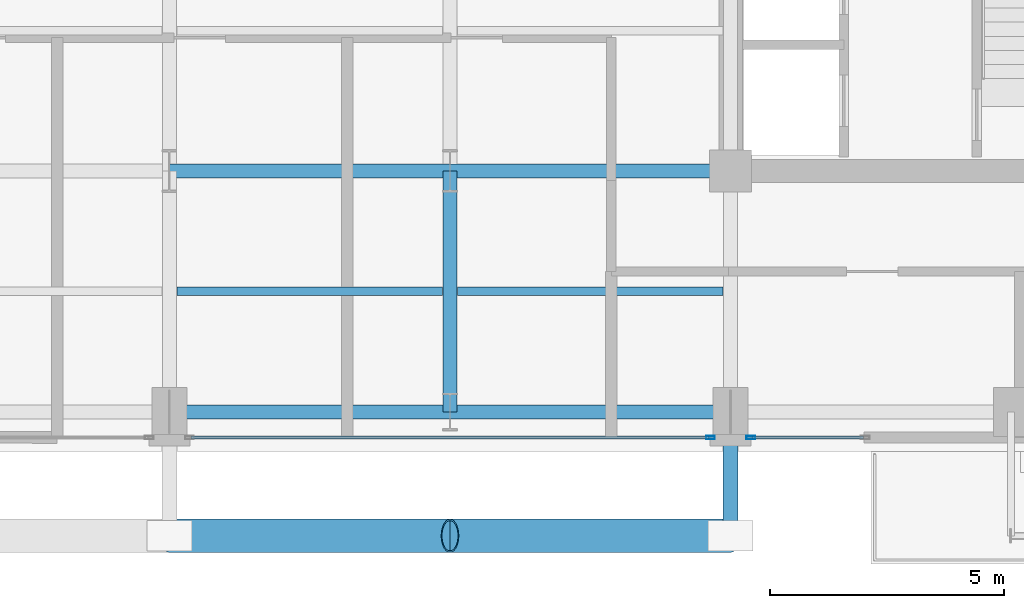
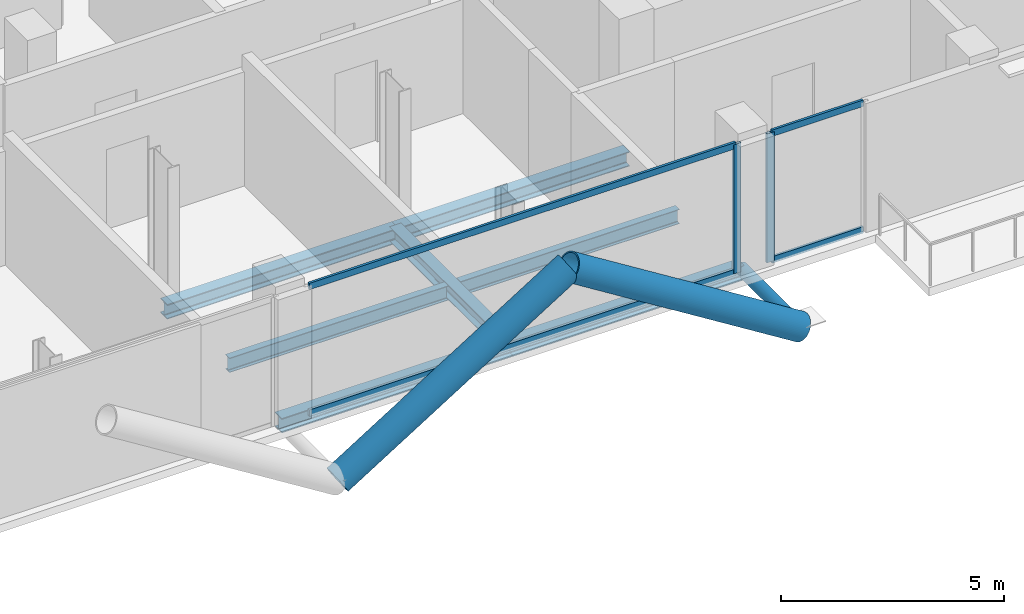
# One storey, part 4 of 26: 9 members, 7 beams, 2 elements without a shape of their own.
"""IFC4 building model written with IfcOpenShell, lengths in metres."""

from ifc_helpers import new_model, si_unit, direction, frame, origin, origin_2d, place, context, subcontext, project, spatial, hollow_rectangle, hollow_circle, i_section, extrude, material, layer, layer_set, material_profile, profile_set, type_object, element, aggregate, save


model = new_model("IFC4")

# Units and contexts
model_context = context("Model", 3, precision=1e-05, world=origin(), true_north=direction((0.0, 1.0)))
body_context = subcontext(model_context, "Body", "Model", "MODEL_VIEW")
ifc_project = project(units=[si_unit("LENGTHUNIT", "METRE"), si_unit("AREAUNIT", "SQUARE_METRE"), si_unit("VOLUMEUNIT", "CUBIC_METRE"), si_unit("PLANEANGLEUNIT", "RADIAN"), si_unit("MASSUNIT", "GRAM", prefix="KILO"), si_unit("THERMODYNAMICTEMPERATUREUNIT", "KELVIN"), si_unit("POWERUNIT", "WATT")], contexts=[model_context])

# Site, building, storey
site_placement = place(None, origin())
site = spatial("IfcSite", under=ifc_project, at=site_placement, CompositionType="ELEMENT")
building_placement = place(site_placement, origin())
building = spatial("IfcBuilding", under=site, at=building_placement, Name="Svarakhadi Broadcast Tower", CompositionType="ELEMENT")
storey_placement = place(building_placement, frame((0.0, 0.0, 184.199951171875)))
storey = spatial("IfcBuildingStorey", under=building, at=storey_placement, Name="L45", CompositionType="ELEMENT", Elevation=184.199951171875)

# Beams
ifc_material_1 = material(Name="Steel S355J2 (IS 2062 E350C)", Category="steel")
ifc_material_profile_1 = material_profile(ifc_material_1, i_section(OverallWidth=0.179931640625, OverallDepth=0.39990234375, WebThickness=0.008544921875, FlangeThickness=0.013427734375, FilletRadius=0.02099609375, at=origin_2d()), Name="NPB 400x180x66")
ifc_profile_set_1 = profile_set([ifc_material_profile_1], Name="Steel S355J2 (IS 2062 E350C)")
beam_type_1 = type_object("IfcBeamType", Name="Beam_NPB400", PredefinedType="BEAM", material=ifc_profile_set_1)
for number, where, z_axis, x_axis, name in (
    (1, (12.159912109375, 3.425048828125, -0.409912109375), (1.0, 0.0, 0.0), (0.0, 1.0, 0.0), "L45 Secondary Composite Beam SB009"),
    (2, (18.159912109375, 3.425048828125, -0.409912109375), (1.0, 0.0, 0.0), (0.0, 1.0, 0.0), "L45 Secondary Composite Beam SB013"),
):
    element("IfcBeam", number, at=place(storey_placement, frame(where, z_axis=z_axis, x_axis=x_axis)), inside=storey, type_object=beam_type_1, Name=name, PredefinedType="BEAM", context=body_context, shape_type="SweptSolid", body=[
        extrude(i_section(OverallWidth=0.179931640625, OverallDepth=0.39990234375, WebThickness=0.008544921875, FlangeThickness=0.013427734375, FilletRadius=0.02099609375, at=origin_2d()), origin(), (0.0, 0.0, 1.0), 5.68017578125),
    ])

# Curtain wall, member
ifc_material_2 = material(Name="Anodised Bronze Aluminium AA 6063-T6", Category="aluminium")
ifc_layer = layer(ifc_material_2, 0.18994140625)
ifc_layer_set = layer_set([ifc_layer], Name="Anodised Bronze Aluminium AA 6063-T6")
curtain_wall_type = type_object("IfcCurtainWallType", Name="CW_Sys_04", PredefinedType="NOTDEFINED", material=ifc_layer_set)
curtain_wall_1_placement = place(storey_placement, origin())
curtain_wall_1 = element("IfcCurtainWall", 3, at=curtain_wall_1_placement, inside=storey, type_object=curtain_wall_type, Name="L45 South Curtain Wall 16 Bay 1", PredefinedType="NOTDEFINED")
ifc_material_profile_2 = material_profile(ifc_material_2, hollow_rectangle(XDim=0.070068359375, YDim=0.18994140625, WallThickness=0.005615234375, at=origin_2d()), Name="ALU MULLION 190x70x6")
ifc_profile_set_2 = profile_set([ifc_material_profile_2], Name="Anodised Bronze Aluminium AA 6063-T6")
member_type_1 = type_object("IfcMemberType", Name="CW_Sys_04_Mul", PredefinedType="MULLION", material=ifc_profile_set_2)
member_1_placement = place(storey_placement, frame((24.429931640625, 0.300048828125, 0.0), z_axis=(0.0, 0.0, 1.0), x_axis=(0.0, -1.0, 0.0)))
member_1 = element("IfcMember", 4, at=member_1_placement, type_object=member_type_1, Name="CW-04 mullion 2", PredefinedType="MULLION", context=body_context, shape_type="SweptSolid", body=[
    extrude(hollow_rectangle(XDim=0.070068359375, YDim=0.18994140625, WallThickness=0.005615234375, at=origin_2d()), origin(), (0.0, 0.0, 1.0), 3.5400390625),
])

curtain_wall_2_placement = place(storey_placement, origin())
curtain_wall_2 = element("IfcCurtainWall", 5, at=curtain_wall_2_placement, inside=storey, type_object=curtain_wall_type, Name="L45 South Curtain Wall 16 Bay 2", PredefinedType="NOTDEFINED")
member_2_placement = place(storey_placement, frame((23.570068359375, 0.300048828125, 0.0), z_axis=(0.0, 0.0, 1.0), x_axis=(0.0, -1.0, 0.0)))
member_2 = element("IfcMember", 6, at=member_2_placement, type_object=member_type_1, Name="CW-04 mullion 1", PredefinedType="MULLION", context=body_context, shape_type="SweptSolid", body=[
    extrude(hollow_rectangle(XDim=0.070068359375, YDim=0.18994140625, WallThickness=0.005615234375, at=origin_2d()), origin(), (0.0, 0.0, 1.0), 3.5400390625),
])

# Member
ifc_material_profile_3 = material_profile(ifc_material_2, hollow_rectangle(XDim=0.06494140625, YDim=0.175048828125, WallThickness=0.0048828125, at=origin_2d()), Name="ALU TRANSOM 175x65x5")
ifc_profile_set_3 = profile_set([ifc_material_profile_3], Name="Anodised Bronze Aluminium AA 6063-T6")
member_type_2 = type_object("IfcMemberType", Name="CW_Sys_04_Trn", PredefinedType="USERDEFINED", material=ifc_profile_set_3)
member_3_placement = place(storey_placement, frame((26.840087890625, 0.300048828125, 0.032470703125), z_axis=(-1.0, 0.0, 0.0), x_axis=(0.0, -1.0, 0.0)))
member_3 = element("IfcMember", 7, at=member_3_placement, type_object=member_type_2, Name="CW-04 transom 1.1", ObjectType="TRANSOM", PredefinedType="USERDEFINED", context=body_context, shape_type="SweptSolid", body=[
    extrude(hollow_rectangle(XDim=0.06494140625, YDim=0.175048828125, WallThickness=0.0048828125, at=origin_2d()), origin(), (0.0, 0.0, 1.0), 2.375),
])

member_4_placement = place(storey_placement, frame((26.840087890625, 0.300048828125, 3.507568359375), z_axis=(-1.0, 0.0, 0.0), x_axis=(0.0, -1.0, 0.0)))
member_4 = element("IfcMember", 8, at=member_4_placement, type_object=member_type_2, Name="CW-04 transom 1.2", ObjectType="TRANSOM", PredefinedType="USERDEFINED", context=body_context, shape_type="SweptSolid", body=[
    extrude(hollow_rectangle(XDim=0.06494140625, YDim=0.175048828125, WallThickness=0.0048828125, at=origin_2d()), origin(), (0.0, 0.0, 1.0), 2.375),
])

aggregate(curtain_wall_1, [member_1, member_3, member_4])

member_5_placement = place(storey_placement, frame((23.534912109375, 0.300048828125, 0.032470703125), z_axis=(-1.0, 0.0, 0.0), x_axis=(0.0, -1.0, 0.0)))
member_5 = element("IfcMember", 9, at=member_5_placement, type_object=member_type_2, Name="CW-04 transom 1.1", ObjectType="TRANSOM", PredefinedType="USERDEFINED", context=body_context, shape_type="SweptSolid", body=[
    extrude(hollow_rectangle(XDim=0.06494140625, YDim=0.175048828125, WallThickness=0.0048828125, at=origin_2d()), origin(), (0.0, 0.0, 1.0), 11.06982421875),
])

member_6_placement = place(storey_placement, frame((23.534912109375, 0.300048828125, 3.507568359375), z_axis=(-1.0, 0.0, 0.0), x_axis=(0.0, -1.0, 0.0)))
member_6 = element("IfcMember", 10, at=member_6_placement, type_object=member_type_2, Name="CW-04 transom 1.2", ObjectType="TRANSOM", PredefinedType="USERDEFINED", context=body_context, shape_type="SweptSolid", body=[
    extrude(hollow_rectangle(XDim=0.06494140625, YDim=0.175048828125, WallThickness=0.0048828125, at=origin_2d()), origin(), (0.0, 0.0, 1.0), 11.06982421875),
])

aggregate(curtain_wall_2, [member_2, member_5, member_6])

# Members
ifc_material_3 = material(Name="Steel S460ML (IS 2062 E450BR)", Category="steel")
ifc_material_profile_4 = material_profile(ifc_material_3, hollow_circle(Radius=0.35546875, WallThickness=0.034912109375, at=origin_2d()), Name="CHS 711x35")
ifc_profile_set_4 = profile_set([ifc_material_profile_4], Name="Steel S460ML (IS 2062 E450BR)")
member_type_3 = type_object("IfcMemberType", Name="Exo_Brace_CHS711", PredefinedType="BRACE", material=ifc_profile_set_4)
for number, where, z_axis, x_axis, name in (
    (11, (12.0, -1.800048828125, -0.371826171875), (0.847998304005, 0.0, 0.529998940003), (0.0, 1.0, 0.0), "L45 Exposed Bronze Exoskeleton Diagonal S02"),
    (12, (24.0, -1.800048828125, -0.371826171875), (-0.847998304005, 0.0, 0.529998940003), (0.0, -1.0, 0.0), "L45 Exposed Bronze Exoskeleton Diagonal S03"),
):
    element("IfcMember", number, at=place(storey_placement, frame(where, z_axis=z_axis, x_axis=x_axis)), inside=storey, type_object=member_type_3, Name=name, PredefinedType="BRACE", context=body_context, shape_type="SweptSolid", body=[
        extrude(hollow_circle(Radius=0.35546875, WallThickness=0.034912109375, at=origin_2d()), origin(), (0.0, 0.0, 1.0), 7.075439453125),
    ])
ifc_material_profile_5 = material_profile(ifc_material_3, hollow_circle(Radius=0.161865234375, WallThickness=0.01611328125, at=origin_2d()), Name="CHS 323.9x16")
ifc_profile_set_5 = profile_set([ifc_material_profile_5], Name="Steel S460ML (IS 2062 E450BR)")
member_type_4 = type_object("IfcMemberType", Name="Exo_Radial_Strut_Z2", PredefinedType="STRUT", material=ifc_profile_set_5)
member_7_placement = place(storey_placement, frame((24.0, -1.800048828125, -0.371826171875), z_axis=(0.0, 1.0, 0.0), x_axis=(-1.0, 0.0, 0.0)))
element("IfcMember", 13, at=member_7_placement, inside=storey, type_object=member_type_4, Name="L45 Exoskeleton Radial Tie Strut S02", PredefinedType="STRUT", context=body_context, shape_type="SweptSolid", body=[
    extrude(hollow_circle(Radius=0.161865234375, WallThickness=0.01611328125, at=origin_2d()), origin(), (0.0, 0.0, 1.0), 2.650146484375),
])

# Beams
ifc_material_profile_6 = material_profile(ifc_material_1, i_section(OverallWidth=0.300048828125, OverallDepth=0.39990234375, WebThickness=0.013427734375, FlangeThickness=0.02392578125, FilletRadius=0.027099609375, at=origin_2d()), Name="WPB 400x300x155")
ifc_profile_set_6 = profile_set([ifc_material_profile_6], Name="Steel S355J2 (IS 2062 E350C)")
beam_type_2 = type_object("IfcBeamType", Name="Girder_WPB400", PredefinedType="USERDEFINED", material=ifc_profile_set_6)
for number, where, z_axis, x_axis, name in (
    (14, (12.0, 0.85009765625, -0.409912109375), (1.0, 0.0, 0.0), (0.0, 1.0, 0.0), "L45 Primary E-W Girder G005"),
    (15, (18.0, 0.85009765625, -0.409912109375), (1.0, 0.0, 0.0), (0.0, 1.0, 0.0), "L45 Primary E-W Girder G006"),
    (16, (12.0, 6.0, -0.409912109375), (1.0, 0.0, 0.0), (0.0, 1.0, 0.0), "L45 Primary E-W Girder G011"),
    (17, (18.0, 6.0, -0.409912109375), (1.0, 0.0, 0.0), (0.0, 1.0, 0.0), "L45 Primary E-W Girder G012"),
):
    element("IfcBeam", number, at=place(storey_placement, frame(where, z_axis=z_axis, x_axis=x_axis)), inside=storey, type_object=beam_type_2, Name=name, ObjectType="GIRDER", PredefinedType="USERDEFINED", context=body_context, shape_type="SweptSolid", body=[
        extrude(i_section(OverallWidth=0.300048828125, OverallDepth=0.39990234375, WebThickness=0.013427734375, FlangeThickness=0.02392578125, FilletRadius=0.027099609375, at=origin_2d()), origin(), (0.0, 0.0, 1.0), 6.0),
    ])
beam_placement = place(storey_placement, frame((18.0, 0.85009765625, -0.409912109375), z_axis=(0.0, 1.0, 0.0), x_axis=(-1.0, 0.0, 0.0)))
element("IfcBeam", 18, at=beam_placement, inside=storey, type_object=beam_type_2, Name="L45 Primary N-S Girder G046", ObjectType="GIRDER", PredefinedType="USERDEFINED", context=body_context, shape_type="SweptSolid", body=[
    extrude(i_section(OverallWidth=0.300048828125, OverallDepth=0.39990234375, WebThickness=0.013427734375, FlangeThickness=0.02392578125, FilletRadius=0.027099609375, at=origin_2d()), origin(), (0.0, 0.0, 1.0), 5.14990234375),
])

save(model, "model.ifc")
